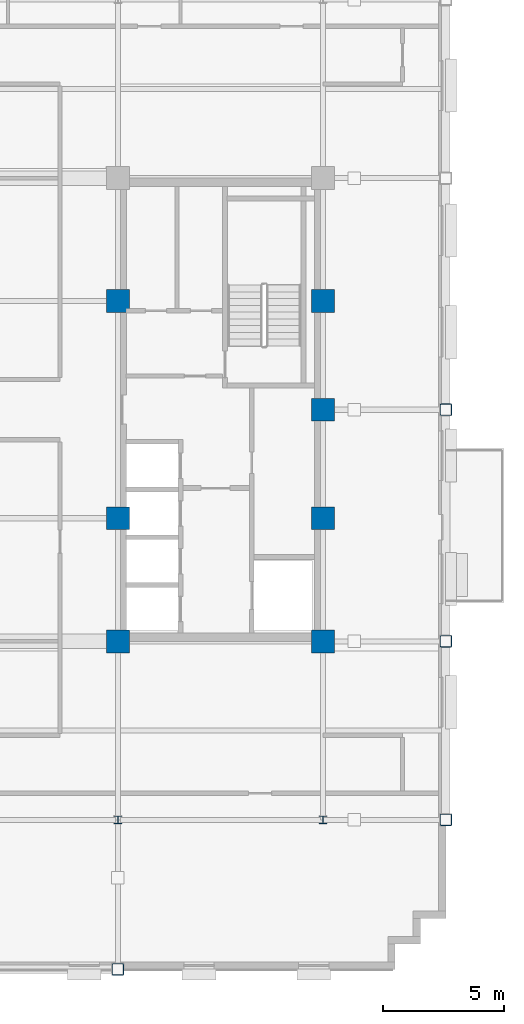
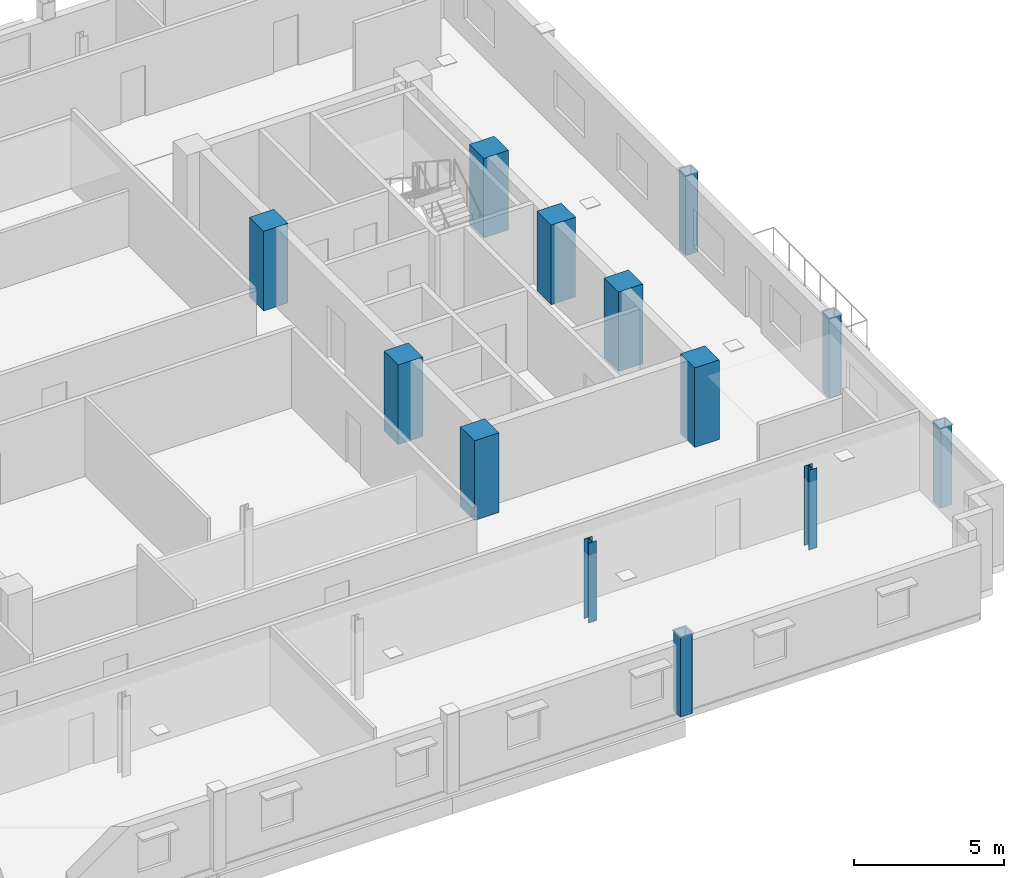
# One storey, part 2 of 15: 13 columns.
"""IFC4 building model written with IfcOpenShell, lengths in metres."""

from ifc_helpers import new_model, si_unit, direction, frame, origin, origin_2d, place, context, subcontext, project, spatial, rectangle, hollow_rectangle, i_section, extrude, material, material_profile, profile_set, type_object, element, save


model = new_model("IFC4")

# Units and contexts
model_context = context("Model", 3, precision=1e-05, world=origin(), true_north=direction((0.0, 1.0)))
body_context = subcontext(model_context, "Body", "Model", "MODEL_VIEW")
ifc_project = project(units=[si_unit("LENGTHUNIT", "METRE"), si_unit("AREAUNIT", "SQUARE_METRE"), si_unit("VOLUMEUNIT", "CUBIC_METRE"), si_unit("PLANEANGLEUNIT", "RADIAN"), si_unit("MASSUNIT", "GRAM", prefix="KILO")], contexts=[model_context])

# Site, building, storey
site_placement = place(None, origin())
site = spatial("IfcSite", under=ifc_project, at=site_placement, CompositionType="ELEMENT")
building_placement = place(site_placement, origin())
building = spatial("IfcBuilding", under=site, at=building_placement, Name="Nuvemarco Arch Tower", CompositionType="ELEMENT")
storey_placement = place(building_placement, frame((0.0, 0.0, 205.5)))
storey = spatial("IfcBuildingStorey", under=building, at=storey_placement, Name="L54", CompositionType="ELEMENT", Elevation=205.5)

# Columns
ifc_material_1 = material(Name="Concrete C50/60", Category="concrete")
ifc_material_profile_1 = material_profile(ifc_material_1, rectangle(XDim=0.949951171875, YDim=0.949951171875, at=origin_2d()), Name="RC-COL-950x950")
ifc_profile_set_1 = profile_set([ifc_material_profile_1], Name="Concrete C50/60")
column_type_1 = type_object("IfcColumnType", Name="COL-CORE-950", PredefinedType="COLUMN", material=ifc_profile_set_1)
for number, where, z_axis, x_axis, name in (
    (1, (9.0, -9.60009765625, 0.0), (0.0, 0.0, 1.0), (1.0, 0.0, 0.0), "L54 column CC_+9.0_-9.6"),
    (2, (9.0, -4.5, 0.0), (0.0, 0.0, 1.0), (1.0, 0.0, 0.0), "L54 column CC_+9.0_-4.5"),
    (3, (9.0, 4.5, 0.0), (0.0, 0.0, 1.0), (1.0, 0.0, 0.0), "L54 column CC_+9.0_+4.5"),
    (4, (17.5, -9.60009765625, 0.0), (0.0, 0.0, 1.0), (1.0, 0.0, 0.0), "L54 column CC_+17.5_-9.6"),
    (5, (17.5, -4.5, 0.0), (0.0, 0.0, 1.0), (1.0, 0.0, 0.0), "L54 column CC_+17.5_-4.5"),
    (6, (17.5, 4.5, 0.0), (0.0, 0.0, 1.0), (1.0, 0.0, 0.0), "L54 column CC_+17.5_+4.5"),
    (7, (17.5, 0.0, 0.0), (0.0, 0.0, 1.0), (1.0, 0.0, 0.0), "L54 column CC_+17.5_+0.0"),
):
    element("IfcColumn", number, at=place(storey_placement, frame(where, z_axis=z_axis, x_axis=x_axis)), inside=storey, type_object=column_type_1, Name=name, PredefinedType="COLUMN", context=body_context, shape_type="SweptSolid", body=[
        extrude(rectangle(XDim=0.949951171875, YDim=0.949951171875, at=origin_2d()), origin(), (0.0, 0.0, 1.0), 3.25),
    ])
ifc_material_2 = material(Name="Steel S355", Category="steel")
ifc_material_profile_2 = material_profile(ifc_material_2, hollow_rectangle(XDim=0.5, YDim=0.5, WallThickness=0.031982421875, InnerFilletRadius=0.031982421875, OuterFilletRadius=0.06396484375, at=origin_2d()), Name="SHS500x500x32")
ifc_profile_set_2 = profile_set([ifc_material_profile_2], Name="Steel S355")
column_type_2 = type_object("IfcColumnType", Name="COL-EXO-500", PredefinedType="COLUMN", material=ifc_profile_set_2)
for number, where, z_axis, x_axis, name in (
    (8, (22.60009765625, -17.0, 0.0), (0.0, 0.0, 1.0), (1.0, 0.0, 0.0), "L54 column CX_+22.6_-17.0"),
    (9, (22.60009765625, -9.60009765625, 0.0), (0.0, 0.0, 1.0), (1.0, 0.0, 0.0), "L54 column CX_+22.6_-9.6"),
    (10, (22.60009765625, 0.0, 0.0), (0.0, 0.0, 1.0), (1.0, 0.0, 0.0), "L54 column CX_+22.6_+0.0"),
    (11, (9.0, -23.199951171875, 0.0), (0.0, 0.0, 1.0), (1.0, 0.0, 0.0), "L54 column CY_+9.0_-23.2"),
):
    element("IfcColumn", number, at=place(storey_placement, frame(where, z_axis=z_axis, x_axis=x_axis)), inside=storey, type_object=column_type_2, Name=name, PredefinedType="COLUMN", context=body_context, shape_type="SweptSolid", body=[
        extrude(hollow_rectangle(XDim=0.5, YDim=0.5, WallThickness=0.031982421875, InnerFilletRadius=0.031982421875, OuterFilletRadius=0.06396484375, at=origin_2d()), origin(), (0.0, 0.0, 1.0), 3.25),
    ])
ifc_material_profile_3 = material_profile(ifc_material_2, i_section(OverallWidth=0.31005859375, OverallDepth=0.31005859375, WebThickness=0.015380859375, FlangeThickness=0.015380859375, FilletRadius=0.014892578125, at=origin_2d()), Name="HP310x110")
ifc_profile_set_3 = profile_set([ifc_material_profile_3], Name="Steel S355")
column_type_3 = type_object("IfcColumnType", Name="COL-STL-HP310", PredefinedType="COLUMN", material=ifc_profile_set_3)
for number, where, z_axis, x_axis, name in (
    (12, (9.0, -17.0, 0.0), (0.0, 0.0, 1.0), (1.0, 0.0, 0.0), "L54 column CI_+9.0_-17.0"),
    (13, (17.5, -17.0, 0.0), (0.0, 0.0, 1.0), (1.0, 0.0, 0.0), "L54 column CI_+17.5_-17.0"),
):
    element("IfcColumn", number, at=place(storey_placement, frame(where, z_axis=z_axis, x_axis=x_axis)), inside=storey, type_object=column_type_3, Name=name, PredefinedType="COLUMN", context=body_context, shape_type="SweptSolid", body=[
        extrude(i_section(OverallWidth=0.31005859375, OverallDepth=0.31005859375, WebThickness=0.015380859375, FlangeThickness=0.015380859375, FilletRadius=0.014892578125, at=origin_2d()), origin(), (0.0, 0.0, 1.0), 3.25),
    ])

save(model, "model.ifc")
